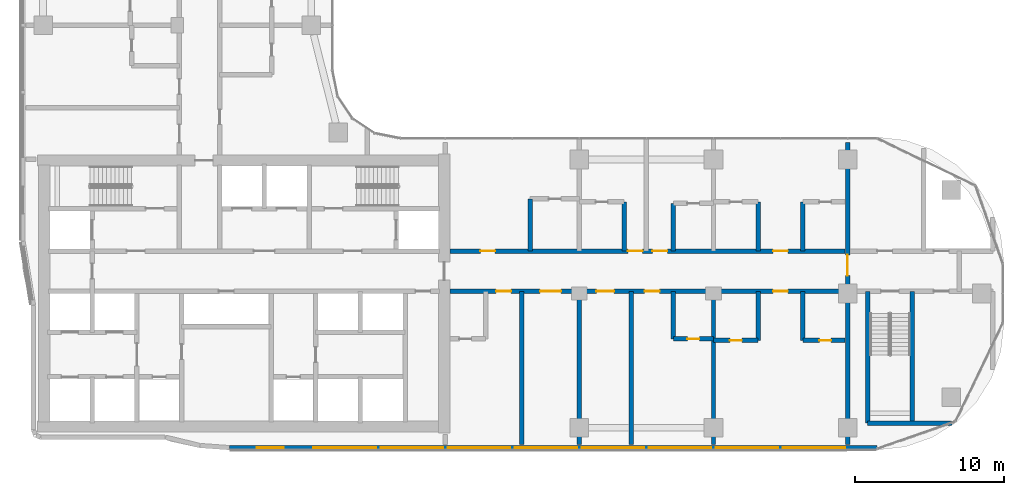
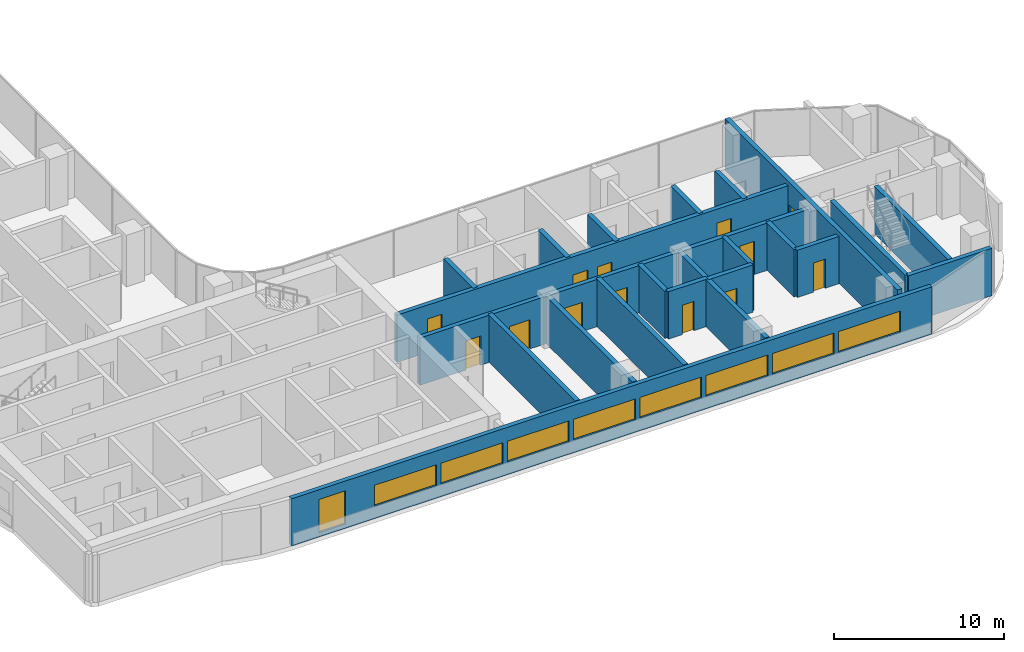
# One storey, part 11 of 22: 22 walls, 13 doors, 9 windows, 22 openings.
"""IFC4 building model written with IfcOpenShell, lengths in metres."""

from ifc_helpers import new_model, si_unit, direction, frame, frame_2d, origin, place, context, subcontext, project, spatial, rectangle, extrude, material, layer, layer_set, type_object, element, fill, save


model = new_model("IFC4")

# Units and contexts
model_context = context("Model", 3, precision=1e-05, world=origin(), true_north=direction((0.0, 1.0)))
body_context = subcontext(model_context, "Body", "Model", "MODEL_VIEW")
ifc_project = project(units=[si_unit("LENGTHUNIT", "METRE"), si_unit("AREAUNIT", "SQUARE_METRE"), si_unit("VOLUMEUNIT", "CUBIC_METRE"), si_unit("PLANEANGLEUNIT", "RADIAN"), si_unit("MASSUNIT", "GRAM", prefix="KILO")], contexts=[model_context])

# Site, building, storey
site_placement = place(None, origin())
site = spatial("IfcSite", under=ifc_project, at=site_placement, CompositionType="ELEMENT")
building_placement = place(site_placement, origin())
building = spatial("IfcBuilding", under=site, at=building_placement, Name="Ogive Portal Towers", CompositionType="ELEMENT")
storey_placement = place(building_placement, frame((0.0, 0.0, 113.0)))
storey = spatial("IfcBuildingStorey", under=building, at=storey_placement, Name="L27", CompositionType="ELEMENT", Elevation=113.0)

# Wall, openings, windows
ifc_material_1 = material(Name="Limestone cladding on lightweight block wall", Category="masonry")
ifc_layer_1 = layer(ifc_material_1, 0.300048828125)
ifc_layer_set_1 = layer_set([ifc_layer_1], Name="EXTERNAL WALL 300 STONE")
wall_type_1 = type_object("IfcWallType", Name="EXTERNAL WALL 300 STONE", PredefinedType="SOLIDWALL", material=ifc_layer_set_1)
wall_1_placement = place(storey_placement, frame((44.0107421875, 20.14990234375, 0.0), z_axis=(0.0, 0.0, 1.0), x_axis=(1.0, 0.0, 0.0)))
wall_1 = element("IfcWall", 1, at=wall_1_placement, inside=storey, type_object=wall_type_1, Name="A:L27:f06:r0:wall", PredefinedType="SOLIDWALL", context=body_context, shape_type="SweptSolid", body=[
    extrude(rectangle(XDim=43.4755859375, YDim=0.300048828125, at=frame_2d((21.73779296875, 0.0))), origin(), (0.0, 0.0, 1.0), 3.39990234375),
])
opening_1_placement = place(wall_1_placement, frame((1.8447265625, 0.0, 0.300048828125)))
opening_1 = element("IfcOpeningElement", 2, at=opening_1_placement, cuts=wall_1, Name="Opening WN10", PredefinedType="OPENING", context=body_context, shape_type="SweptSolid", body=[
    extrude(rectangle(XDim=1.800048828125, YDim=2.39990234375, at=frame_2d((0.89990234375, 1.199951171875))), frame((0.0, 0.16015625, 0.0), z_axis=(0.0, -1.0, 0.0), x_axis=(1.0, 0.0, 0.0)), (0.0, 0.0, 1.0), 0.320068359375),
])
opening_2_placement = place(wall_1_placement, frame((5.639404296875, 0.0, 0.89990234375)))
opening_2 = element("IfcOpeningElement", 3, at=opening_2_placement, cuts=wall_1, Name="Opening WN11", PredefinedType="OPENING", context=body_context, shape_type="SweptSolid", body=[
    extrude(rectangle(XDim=4.199951171875, YDim=1.5, at=frame_2d((2.10009765625, 0.75))), frame((0.0, 0.16015625, 0.0), z_axis=(0.0, -1.0, 0.0), x_axis=(1.0, 0.0, 0.0)), (0.0, 0.0, 1.0), 0.320068359375),
])
opening_3_placement = place(wall_1_placement, frame((10.139404296875, 0.0, 0.89990234375)))
opening_3 = element("IfcOpeningElement", 4, at=opening_3_placement, cuts=wall_1, Name="Opening WN11", PredefinedType="OPENING", context=body_context, shape_type="SweptSolid", body=[
    extrude(rectangle(XDim=4.199951171875, YDim=1.5, at=frame_2d((2.10009765625, 0.75))), frame((0.0, 0.16015625, 0.0), z_axis=(0.0, -1.0, 0.0), x_axis=(1.0, 0.0, 0.0)), (0.0, 0.0, 1.0), 0.320068359375),
])
opening_4_placement = place(wall_1_placement, frame((14.639404296875, 0.0, 0.89990234375)))
opening_4 = element("IfcOpeningElement", 5, at=opening_4_placement, cuts=wall_1, Name="Opening WN11", PredefinedType="OPENING", context=body_context, shape_type="SweptSolid", body=[
    extrude(rectangle(XDim=4.199951171875, YDim=1.5, at=frame_2d((2.10009765625, 0.75))), frame((0.0, 0.16015625, 0.0), z_axis=(0.0, -1.0, 0.0), x_axis=(1.0, 0.0, 0.0)), (0.0, 0.0, 1.0), 0.320068359375),
])
opening_5_placement = place(wall_1_placement, frame((19.139404296875, 0.0, 0.89990234375)))
opening_5 = element("IfcOpeningElement", 6, at=opening_5_placement, cuts=wall_1, Name="Opening WN11", PredefinedType="OPENING", context=body_context, shape_type="SweptSolid", body=[
    extrude(rectangle(XDim=4.199951171875, YDim=1.5, at=frame_2d((2.10009765625, 0.75))), frame((0.0, 0.16015625, 0.0), z_axis=(0.0, -1.0, 0.0), x_axis=(1.0, 0.0, 0.0)), (0.0, 0.0, 1.0), 0.320068359375),
])
opening_6_placement = place(wall_1_placement, frame((23.639404296875, 0.0, 0.89990234375)))
opening_6 = element("IfcOpeningElement", 7, at=opening_6_placement, cuts=wall_1, Name="Opening WN11", PredefinedType="OPENING", context=body_context, shape_type="SweptSolid", body=[
    extrude(rectangle(XDim=4.199951171875, YDim=1.5, at=frame_2d((2.10009765625, 0.75))), frame((0.0, 0.16015625, 0.0), z_axis=(0.0, -1.0, 0.0), x_axis=(1.0, 0.0, 0.0)), (0.0, 0.0, 1.0), 0.320068359375),
])
opening_7_placement = place(wall_1_placement, frame((28.139404296875, 0.0, 0.89990234375)))
opening_7 = element("IfcOpeningElement", 8, at=opening_7_placement, cuts=wall_1, Name="Opening WN11", PredefinedType="OPENING", context=body_context, shape_type="SweptSolid", body=[
    extrude(rectangle(XDim=4.199951171875, YDim=1.5, at=frame_2d((2.10009765625, 0.75))), frame((0.0, 0.16015625, 0.0), z_axis=(0.0, -1.0, 0.0), x_axis=(1.0, 0.0, 0.0)), (0.0, 0.0, 1.0), 0.320068359375),
])
opening_8_placement = place(wall_1_placement, frame((32.639404296875, 0.0, 0.89990234375)))
opening_8 = element("IfcOpeningElement", 9, at=opening_8_placement, cuts=wall_1, Name="Opening WN11", PredefinedType="OPENING", context=body_context, shape_type="SweptSolid", body=[
    extrude(rectangle(XDim=4.199951171875, YDim=1.5, at=frame_2d((2.10009765625, 0.75))), frame((0.0, 0.16015625, 0.0), z_axis=(0.0, -1.0, 0.0), x_axis=(1.0, 0.0, 0.0)), (0.0, 0.0, 1.0), 0.320068359375),
])
opening_9_placement = place(wall_1_placement, frame((37.139404296875, 0.0, 0.89990234375)))
opening_9 = element("IfcOpeningElement", 10, at=opening_9_placement, cuts=wall_1, Name="Opening WN11", PredefinedType="OPENING", context=body_context, shape_type="SweptSolid", body=[
    extrude(rectangle(XDim=4.199951171875, YDim=1.5, at=frame_2d((2.10009765625, 0.75))), frame((0.0, 0.16015625, 0.0), z_axis=(0.0, -1.0, 0.0), x_axis=(1.0, 0.0, 0.0)), (0.0, 0.0, 1.0), 0.320068359375),
])
ifc_material_2 = material(Name="Glass, clear low-iron insulated glazing", Category="glass")
window_type_1 = type_object("IfcWindowType", Name="WINDOW RIBBON 4200x1500", PartitioningType="TRIPLE_PANEL_VERTICAL", PredefinedType="WINDOW", material=ifc_material_2)
window_1_placement = place(opening_2_placement, origin())
window_1 = element("IfcWindow", 11, at=window_1_placement, inside=storey, type_object=window_type_1, Name="A:L27:f06:r0:w1", OverallHeight=1.5, OverallWidth=4.199951171875, PartitioningType="SINGLE_PANEL", PredefinedType="WINDOW", context=body_context, shape_type="SweptSolid", body=[
    extrude(rectangle(XDim=4.199951171875, YDim=1.5, at=frame_2d((2.10009765625, 0.75))), frame((0.0, 0.030029296875, 0.0), z_axis=(0.0, -1.0, 0.0), x_axis=(1.0, 0.0, 0.0)), (0.0, 0.0, 1.0), 0.06005859375),
])
fill(opening_2, window_1)
window_2_placement = place(opening_3_placement, origin())
window_2 = element("IfcWindow", 12, at=window_2_placement, inside=storey, type_object=window_type_1, Name="A:L27:f06:r0:w2", OverallHeight=1.5, OverallWidth=4.199951171875, PartitioningType="SINGLE_PANEL", PredefinedType="WINDOW", context=body_context, shape_type="SweptSolid", body=[
    extrude(rectangle(XDim=4.199951171875, YDim=1.5, at=frame_2d((2.10009765625, 0.75))), frame((0.0, 0.030029296875, 0.0), z_axis=(0.0, -1.0, 0.0), x_axis=(1.0, 0.0, 0.0)), (0.0, 0.0, 1.0), 0.06005859375),
])
fill(opening_3, window_2)
window_3_placement = place(opening_4_placement, origin())
window_3 = element("IfcWindow", 13, at=window_3_placement, inside=storey, type_object=window_type_1, Name="A:L27:f06:r0:w3", OverallHeight=1.5, OverallWidth=4.199951171875, PartitioningType="SINGLE_PANEL", PredefinedType="WINDOW", context=body_context, shape_type="SweptSolid", body=[
    extrude(rectangle(XDim=4.199951171875, YDim=1.5, at=frame_2d((2.10009765625, 0.75))), frame((0.0, 0.030029296875, 0.0), z_axis=(0.0, -1.0, 0.0), x_axis=(1.0, 0.0, 0.0)), (0.0, 0.0, 1.0), 0.06005859375),
])
fill(opening_4, window_3)
window_4_placement = place(opening_5_placement, origin())
window_4 = element("IfcWindow", 14, at=window_4_placement, inside=storey, type_object=window_type_1, Name="A:L27:f06:r0:w4", OverallHeight=1.5, OverallWidth=4.199951171875, PartitioningType="SINGLE_PANEL", PredefinedType="WINDOW", context=body_context, shape_type="SweptSolid", body=[
    extrude(rectangle(XDim=4.199951171875, YDim=1.5, at=frame_2d((2.10009765625, 0.75))), frame((0.0, 0.030029296875, 0.0), z_axis=(0.0, -1.0, 0.0), x_axis=(1.0, 0.0, 0.0)), (0.0, 0.0, 1.0), 0.06005859375),
])
fill(opening_5, window_4)
window_5_placement = place(opening_6_placement, origin())
window_5 = element("IfcWindow", 15, at=window_5_placement, inside=storey, type_object=window_type_1, Name="A:L27:f06:r0:w5", OverallHeight=1.5, OverallWidth=4.199951171875, PartitioningType="SINGLE_PANEL", PredefinedType="WINDOW", context=body_context, shape_type="SweptSolid", body=[
    extrude(rectangle(XDim=4.199951171875, YDim=1.5, at=frame_2d((2.10009765625, 0.75))), frame((0.0, 0.030029296875, 0.0), z_axis=(0.0, -1.0, 0.0), x_axis=(1.0, 0.0, 0.0)), (0.0, 0.0, 1.0), 0.06005859375),
])
fill(opening_6, window_5)
window_6_placement = place(opening_7_placement, origin())
window_6 = element("IfcWindow", 16, at=window_6_placement, inside=storey, type_object=window_type_1, Name="A:L27:f06:r0:w6", OverallHeight=1.5, OverallWidth=4.199951171875, PartitioningType="SINGLE_PANEL", PredefinedType="WINDOW", context=body_context, shape_type="SweptSolid", body=[
    extrude(rectangle(XDim=4.199951171875, YDim=1.5, at=frame_2d((2.10009765625, 0.75))), frame((0.0, 0.030029296875, 0.0), z_axis=(0.0, -1.0, 0.0), x_axis=(1.0, 0.0, 0.0)), (0.0, 0.0, 1.0), 0.06005859375),
])
fill(opening_7, window_6)
window_7_placement = place(opening_8_placement, origin())
window_7 = element("IfcWindow", 17, at=window_7_placement, inside=storey, type_object=window_type_1, Name="A:L27:f06:r0:w7", OverallHeight=1.5, OverallWidth=4.199951171875, PartitioningType="SINGLE_PANEL", PredefinedType="WINDOW", context=body_context, shape_type="SweptSolid", body=[
    extrude(rectangle(XDim=4.199951171875, YDim=1.5, at=frame_2d((2.10009765625, 0.75))), frame((0.0, 0.030029296875, 0.0), z_axis=(0.0, -1.0, 0.0), x_axis=(1.0, 0.0, 0.0)), (0.0, 0.0, 1.0), 0.06005859375),
])
fill(opening_8, window_7)
window_8_placement = place(opening_9_placement, origin())
window_8 = element("IfcWindow", 18, at=window_8_placement, inside=storey, type_object=window_type_1, Name="A:L27:f06:r0:w8", OverallHeight=1.5, OverallWidth=4.199951171875, PartitioningType="SINGLE_PANEL", PredefinedType="WINDOW", context=body_context, shape_type="SweptSolid", body=[
    extrude(rectangle(XDim=4.199951171875, YDim=1.5, at=frame_2d((2.10009765625, 0.75))), frame((0.0, 0.030029296875, 0.0), z_axis=(0.0, -1.0, 0.0), x_axis=(1.0, 0.0, 0.0)), (0.0, 0.0, 1.0), 0.06005859375),
])
fill(opening_9, window_8)
window_type_2 = type_object("IfcWindowType", Name="WINDOW SUITE CORNER 1800x2400", PartitioningType="DOUBLE_PANEL_VERTICAL", PredefinedType="WINDOW", material=ifc_material_2)
window_9_placement = place(opening_1_placement, origin())
window_9 = element("IfcWindow", 19, at=window_9_placement, inside=storey, type_object=window_type_2, Name="A:L27:f06:r0:w0", OverallHeight=2.39990234375, OverallWidth=1.800048828125, PartitioningType="SINGLE_PANEL", PredefinedType="WINDOW", context=body_context, shape_type="SweptSolid", body=[
    extrude(rectangle(XDim=1.800048828125, YDim=2.39990234375, at=frame_2d((0.89990234375, 1.199951171875))), frame((0.0, 0.030029296875, 0.0), z_axis=(0.0, -1.0, 0.0), x_axis=(1.0, 0.0, 0.0)), (0.0, 0.0, 1.0), 0.06005859375),
])
fill(opening_1, window_9)

# Wall, opening, door
ifc_material_3 = material(Name="Concrete C60/75", Category="concrete")
ifc_layer_2 = layer(ifc_material_3, 0.300048828125)
ifc_layer_set_2 = layer_set([ifc_layer_2], Name="REVEAL WALL 300 C60")
wall_type_2 = type_object("IfcWallType", Name="REVEAL WALL 300 C60", PredefinedType="SHEAR", material=ifc_layer_set_2)
wall_2_placement = place(storey_placement, frame((85.5, 20.35009765625, 0.0), z_axis=(0.0, 0.0, 1.0), x_axis=(0.0, 1.0, 0.0)))
wall_2 = element("IfcWall", 20, at=wall_2_placement, inside=storey, type_object=wall_type_2, Name="Portal reveal wall L27", PredefinedType="SHEAR", context=body_context, shape_type="SweptSolid", body=[
    extrude(rectangle(XDim=20.2998046875, YDim=0.300048828125, at=frame_2d((10.14990234375, 0.0))), origin(), (0.0, 0.0, 1.0), 3.699951171875),
])
opening_10_placement = place(wall_2_placement, frame((11.35009765625, 0.0, 0.0)))
opening_10 = element("IfcOpeningElement", 21, at=opening_10_placement, cuts=wall_2, Name="Opening D09-063", PredefinedType="OPENING", context=body_context, shape_type="SweptSolid", body=[
    extrude(rectangle(XDim=1.39990234375, YDim=2.10009765625, at=frame_2d((0.699951171875, 1.050048828125))), frame((0.0, 0.16015625, 0.0), z_axis=(0.0, -1.0, 0.0), x_axis=(1.0, 0.0, 0.0)), (0.0, 0.0, 1.0), 0.320068359375),
])
ifc_material_4 = material(Name="Steel fire door", Category="steel")
door_type_1 = type_object("IfcDoorType", Name="DT-STAIR-1400x2100-FD90S", OperationType="SINGLE_SWING_LEFT", PredefinedType="DOOR", material=ifc_material_4)
door_1_placement = place(opening_10_placement, origin())
door_1 = element("IfcDoor", 22, at=door_1_placement, inside=storey, type_object=door_type_1, Name="Door D09-063", OperationType="SINGLE_SWING_RIGHT", OverallHeight=2.10009765625, OverallWidth=1.39990234375, PredefinedType="DOOR", context=body_context, shape_type="SweptSolid", body=[
    extrude(rectangle(XDim=1.39990234375, YDim=2.10009765625, at=frame_2d((0.699951171875, 1.050048828125))), frame((0.0, 0.02490234375, 0.0), z_axis=(0.0, -1.0, 0.0), x_axis=(1.0, 0.0, 0.0)), (0.0, 0.0, 1.0), 0.050048828125),
])
fill(opening_10, door_1)

# Walls
ifc_material_5 = material(Name="Concrete C50/60", Category="concrete")
ifc_layer_3 = layer(ifc_material_5, 0.300048828125)
ifc_layer_set_3 = layer_set([ifc_layer_3], Name="STAIR WALL 300 C50")
wall_type_3 = type_object("IfcWallType", Name="STAIR WALL 300 C50", PredefinedType="SHEAR", material=ifc_layer_set_3)
wall_3_placement = place(storey_placement, frame((86.85009765625, 21.800048828125, 0.0), z_axis=(0.0, 0.0, 1.0), x_axis=(1.0, 0.0, 0.0)))
element("IfcWall", 23, at=wall_3_placement, inside=storey, type_object=wall_type_3, Name="Stair wall ST-A4 L27", PredefinedType="SHEAR", context=body_context, shape_type="SweptSolid", body=[
    extrude(rectangle(XDim=5.664794921875, YDim=0.300048828125, at=frame_2d((2.83251953125, 0.0))), origin(), (0.0, 0.0, 1.0), 3.39990234375),
])
for number, where, z_axis, x_axis, name in (
    (24, (86.85009765625, 21.800048828125, 0.0), (0.0, 0.0, 1.0), (0.0, 1.0, 0.0), "Stair wall ST-A4 L27"),
    (25, (89.85009765625, 21.800048828125, 0.0), (0.0, 0.0, 1.0), (0.0, 1.0, 0.0), "Stair wall ST-A4 L27"),
):
    element("IfcWall", number, at=place(storey_placement, frame(where, z_axis=z_axis, x_axis=x_axis)), inside=storey, type_object=wall_type_3, Name=name, PredefinedType="SHEAR", context=body_context, shape_type="SweptSolid", body=[
        extrude(rectangle(XDim=8.849853515625, YDim=0.300048828125, at=frame_2d((4.4248046875, 0.0))), origin(), (0.0, 0.0, 1.0), 3.39990234375),
    ])

# Wall, openings, doors
ifc_material_6 = material(Name="Gypsum board partition on steel studs", Category="steel")
ifc_layer_4 = layer(ifc_material_6, 0.300048828125)
ifc_layer_set_4 = layer_set([ifc_layer_4], Name="WT-PART-300-EI 120")
wall_type_4 = type_object("IfcWallType", Name="WT-PART-300-EI 120", PredefinedType="PARTITIONING", material=ifc_layer_set_4)
wall_4_placement = place(storey_placement, frame((58.800048828125, 30.64990234375, 0.0), z_axis=(0.0, 0.0, 1.0), x_axis=(1.0, 0.0, 0.0)))
wall_4 = element("IfcWall", 26, at=wall_4_placement, inside=storey, type_object=wall_type_4, Name="Wall L27:w006", PredefinedType="PARTITIONING", context=body_context, shape_type="SweptSolid", body=[
    extrude(rectangle(XDim=26.530029296875, YDim=0.300048828125, at=frame_2d((13.26513671875, 0.0))), origin(), (0.0, 0.0, 1.0), 3.39990234375),
])
opening_11_placement = place(wall_4_placement, frame((3.114990234375, 0.0, 0.0)))
opening_11 = element("IfcOpeningElement", 27, at=opening_11_placement, cuts=wall_4, Name="Opening D09-027", PredefinedType="OPENING", context=body_context, shape_type="SweptSolid", body=[
    extrude(rectangle(XDim=1.0, YDim=2.10009765625, at=frame_2d((0.5, 1.050048828125))), frame((0.0, 0.16015625, 0.0), z_axis=(0.0, -1.0, 0.0), x_axis=(1.0, 0.0, 0.0)), (0.0, 0.0, 1.0), 0.320068359375),
])
opening_12_placement = place(wall_4_placement, frame((6.06494140625, 0.0, 0.0)))
opening_12 = element("IfcOpeningElement", 28, at=opening_12_placement, cuts=wall_4, Name="Opening D09-028", PredefinedType="OPENING", context=body_context, shape_type="SweptSolid", body=[
    extrude(rectangle(XDim=1.39990234375, YDim=2.10009765625, at=frame_2d((0.699951171875, 1.050048828125))), frame((0.0, 0.16015625, 0.0), z_axis=(0.0, -1.0, 0.0), x_axis=(1.0, 0.0, 0.0)), (0.0, 0.0, 1.0), 0.320068359375),
])
opening_13_placement = place(wall_4_placement, frame((9.8349609375, 0.0, 0.0)))
opening_13 = element("IfcOpeningElement", 29, at=opening_13_placement, cuts=wall_4, Name="Opening D09-033", PredefinedType="OPENING", context=body_context, shape_type="SweptSolid", body=[
    extrude(rectangle(XDim=1.199951171875, YDim=2.10009765625, at=frame_2d((0.60009765625, 1.050048828125))), frame((0.0, 0.16015625, 0.0), z_axis=(0.0, -1.0, 0.0), x_axis=(1.0, 0.0, 0.0)), (0.0, 0.0, 1.0), 0.320068359375),
])
opening_14_placement = place(wall_4_placement, frame((13.0849609375, 0.0, 0.0)))
opening_14 = element("IfcOpeningElement", 30, at=opening_14_placement, cuts=wall_4, Name="Opening D09-035", PredefinedType="OPENING", context=body_context, shape_type="SweptSolid", body=[
    extrude(rectangle(XDim=1.0, YDim=2.10009765625, at=frame_2d((0.5, 1.050048828125))), frame((0.0, 0.16015625, 0.0), z_axis=(0.0, -1.0, 0.0), x_axis=(1.0, 0.0, 0.0)), (0.0, 0.0, 1.0), 0.320068359375),
])
opening_15_placement = place(wall_4_placement, frame((21.699951171875, 0.0, 0.0)))
opening_15 = element("IfcOpeningElement", 31, at=opening_15_placement, cuts=wall_4, Name="Opening D09-041", PredefinedType="OPENING", context=body_context, shape_type="SweptSolid", body=[
    extrude(rectangle(XDim=1.0, YDim=2.39990234375, at=frame_2d((0.5, 1.199951171875))), frame((0.0, 0.16015625, 0.0), z_axis=(0.0, -1.0, 0.0), x_axis=(1.0, 0.0, 0.0)), (0.0, 0.0, 1.0), 0.320068359375),
])
door_type_2 = type_object("IfcDoorType", Name="DT-ENTRY-1000x2100-FD90S", OperationType="SINGLE_SWING_LEFT", PredefinedType="DOOR", material=ifc_material_4)
door_2_placement = place(opening_11_placement, origin())
door_2 = element("IfcDoor", 32, at=door_2_placement, inside=storey, type_object=door_type_2, Name="Door D09-027", OperationType="SINGLE_SWING_RIGHT", OverallHeight=2.10009765625, OverallWidth=1.0, PredefinedType="DOOR", context=body_context, shape_type="SweptSolid", body=[
    extrude(rectangle(XDim=1.0, YDim=2.10009765625, at=frame_2d((0.5, 1.050048828125))), frame((0.0, 0.02490234375, 0.0), z_axis=(0.0, -1.0, 0.0), x_axis=(1.0, 0.0, 0.0)), (0.0, 0.0, 1.0), 0.050048828125),
])
fill(opening_11, door_2)
door_3_placement = place(opening_14_placement, origin())
door_3 = element("IfcDoor", 33, at=door_3_placement, inside=storey, type_object=door_type_2, Name="Door D09-035", OperationType="SINGLE_SWING_LEFT", OverallHeight=2.10009765625, OverallWidth=1.0, PredefinedType="DOOR", context=body_context, shape_type="SweptSolid", body=[
    extrude(rectangle(XDim=1.0, YDim=2.10009765625, at=frame_2d((0.5, 1.050048828125))), frame((0.0, 0.02490234375, 0.0), z_axis=(0.0, -1.0, 0.0), x_axis=(1.0, 0.0, 0.0)), (0.0, 0.0, 1.0), 0.050048828125),
])
fill(opening_14, door_3)
door_type_3 = type_object("IfcDoorType", Name="DT-ENTRY-1000x2400-FD90S", OperationType="SINGLE_SWING_LEFT", PredefinedType="DOOR", material=ifc_material_4)
door_4_placement = place(opening_15_placement, origin())
door_4 = element("IfcDoor", 34, at=door_4_placement, inside=storey, type_object=door_type_3, Name="Door D09-041", OperationType="SINGLE_SWING_LEFT", OverallHeight=2.39990234375, OverallWidth=1.0, PredefinedType="DOOR", context=body_context, shape_type="SweptSolid", body=[
    extrude(rectangle(XDim=1.0, YDim=2.39990234375, at=frame_2d((0.5, 1.199951171875))), frame((0.0, 0.02490234375, 0.0), z_axis=(0.0, -1.0, 0.0), x_axis=(1.0, 0.0, 0.0)), (0.0, 0.0, 1.0), 0.050048828125),
])
fill(opening_15, door_4)
door_type_4 = type_object("IfcDoorType", Name="DT-ENTRY-1200x2100-FD90S", OperationType="SINGLE_SWING_LEFT", PredefinedType="DOOR", material=ifc_material_4)
door_5_placement = place(opening_13_placement, origin())
door_5 = element("IfcDoor", 35, at=door_5_placement, inside=storey, type_object=door_type_4, Name="Door D09-033", OperationType="SINGLE_SWING_LEFT", OverallHeight=2.10009765625, OverallWidth=1.199951171875, PredefinedType="DOOR", context=body_context, shape_type="SweptSolid", body=[
    extrude(rectangle(XDim=1.199951171875, YDim=2.10009765625, at=frame_2d((0.60009765625, 1.050048828125))), frame((0.0, 0.02490234375, 0.0), z_axis=(0.0, -1.0, 0.0), x_axis=(1.0, 0.0, 0.0)), (0.0, 0.0, 1.0), 0.050048828125),
])
fill(opening_13, door_5)
door_type_5 = type_object("IfcDoorType", Name="DT-ENTRY-1400x2100-FD90S", OperationType="SINGLE_SWING_LEFT", PredefinedType="DOOR", material=ifc_material_4)
door_6_placement = place(opening_12_placement, origin())
door_6 = element("IfcDoor", 36, at=door_6_placement, inside=storey, type_object=door_type_5, Name="Door D09-028", OperationType="SINGLE_SWING_LEFT", OverallHeight=2.10009765625, OverallWidth=1.39990234375, PredefinedType="DOOR", context=body_context, shape_type="SweptSolid", body=[
    extrude(rectangle(XDim=1.39990234375, YDim=2.10009765625, at=frame_2d((0.699951171875, 1.050048828125))), frame((0.0, 0.02490234375, 0.0), z_axis=(0.0, -1.0, 0.0), x_axis=(1.0, 0.0, 0.0)), (0.0, 0.0, 1.0), 0.050048828125),
])
fill(opening_12, door_6)

wall_5_placement = place(storey_placement, frame((58.800048828125, 33.35009765625, 0.0), z_axis=(0.0, 0.0, 1.0), x_axis=(1.0, 0.0, 0.0)))
wall_5 = element("IfcWall", 37, at=wall_5_placement, inside=storey, type_object=wall_type_4, Name="Wall L27:w008", PredefinedType="PARTITIONING", context=body_context, shape_type="SweptSolid", body=[
    extrude(rectangle(XDim=26.530029296875, YDim=0.300048828125, at=frame_2d((13.26513671875, 0.0))), origin(), (0.0, 0.0, 1.0), 3.39990234375),
])
opening_16_placement = place(wall_5_placement, frame((2.050048828125, 0.0, 0.0)))
opening_16 = element("IfcOpeningElement", 38, at=opening_16_placement, cuts=wall_5, Name="Opening D09-025", PredefinedType="OPENING", context=body_context, shape_type="SweptSolid", body=[
    extrude(rectangle(XDim=1.0, YDim=2.39990234375, at=frame_2d((0.5, 1.199951171875))), frame((0.0, 0.16015625, 0.0), z_axis=(0.0, -1.0, 0.0), x_axis=(1.0, 0.0, 0.0)), (0.0, 0.0, 1.0), 0.320068359375),
])
opening_17_placement = place(wall_5_placement, frame((11.949951171875, 0.0, 0.0)))
opening_17 = element("IfcOpeningElement", 39, at=opening_17_placement, cuts=wall_5, Name="Opening D09-030", PredefinedType="OPENING", context=body_context, shape_type="SweptSolid", body=[
    extrude(rectangle(XDim=1.0, YDim=2.10009765625, at=frame_2d((0.5, 1.050048828125))), frame((0.0, 0.16015625, 0.0), z_axis=(0.0, -1.0, 0.0), x_axis=(1.0, 0.0, 0.0)), (0.0, 0.0, 1.0), 0.320068359375),
])
opening_18_placement = place(wall_5_placement, frame((13.60009765625, 0.0, 0.0)))
opening_18 = element("IfcOpeningElement", 40, at=opening_18_placement, cuts=wall_5, Name="Opening D09-032", PredefinedType="OPENING", context=body_context, shape_type="SweptSolid", body=[
    extrude(rectangle(XDim=1.0, YDim=2.10009765625, at=frame_2d((0.5, 1.050048828125))), frame((0.0, 0.16015625, 0.0), z_axis=(0.0, -1.0, 0.0), x_axis=(1.0, 0.0, 0.0)), (0.0, 0.0, 1.0), 0.320068359375),
])
opening_19_placement = place(wall_5_placement, frame((21.699951171875, 0.0, 0.0)))
opening_19 = element("IfcOpeningElement", 41, at=opening_19_placement, cuts=wall_5, Name="Opening D09-038", PredefinedType="OPENING", context=body_context, shape_type="SweptSolid", body=[
    extrude(rectangle(XDim=1.0, YDim=2.39990234375, at=frame_2d((0.5, 1.199951171875))), frame((0.0, 0.16015625, 0.0), z_axis=(0.0, -1.0, 0.0), x_axis=(1.0, 0.0, 0.0)), (0.0, 0.0, 1.0), 0.320068359375),
])
door_7_placement = place(opening_17_placement, origin())
door_7 = element("IfcDoor", 42, at=door_7_placement, inside=storey, type_object=door_type_2, Name="Door D09-030", OperationType="SINGLE_SWING_RIGHT", OverallHeight=2.10009765625, OverallWidth=1.0, PredefinedType="DOOR", context=body_context, shape_type="SweptSolid", body=[
    extrude(rectangle(XDim=1.0, YDim=2.10009765625, at=frame_2d((0.5, 1.050048828125))), frame((0.0, 0.02490234375, 0.0), z_axis=(0.0, -1.0, 0.0), x_axis=(1.0, 0.0, 0.0)), (0.0, 0.0, 1.0), 0.050048828125),
])
fill(opening_17, door_7)
door_8_placement = place(opening_18_placement, origin())
door_8 = element("IfcDoor", 43, at=door_8_placement, inside=storey, type_object=door_type_2, Name="Door D09-032", OperationType="SINGLE_SWING_LEFT", OverallHeight=2.10009765625, OverallWidth=1.0, PredefinedType="DOOR", context=body_context, shape_type="SweptSolid", body=[
    extrude(rectangle(XDim=1.0, YDim=2.10009765625, at=frame_2d((0.5, 1.050048828125))), frame((0.0, 0.02490234375, 0.0), z_axis=(0.0, -1.0, 0.0), x_axis=(1.0, 0.0, 0.0)), (0.0, 0.0, 1.0), 0.050048828125),
])
fill(opening_18, door_8)
door_9_placement = place(opening_16_placement, origin())
door_9 = element("IfcDoor", 44, at=door_9_placement, inside=storey, type_object=door_type_3, Name="Door D09-025", OperationType="SINGLE_SWING_LEFT", OverallHeight=2.39990234375, OverallWidth=1.0, PredefinedType="DOOR", context=body_context, shape_type="SweptSolid", body=[
    extrude(rectangle(XDim=1.0, YDim=2.39990234375, at=frame_2d((0.5, 1.199951171875))), frame((0.0, 0.02490234375, 0.0), z_axis=(0.0, -1.0, 0.0), x_axis=(1.0, 0.0, 0.0)), (0.0, 0.0, 1.0), 0.050048828125),
])
fill(opening_16, door_9)
door_10_placement = place(opening_19_placement, origin())
door_10 = element("IfcDoor", 45, at=door_10_placement, inside=storey, type_object=door_type_3, Name="Door D09-038", OperationType="SINGLE_SWING_LEFT", OverallHeight=2.39990234375, OverallWidth=1.0, PredefinedType="DOOR", context=body_context, shape_type="SweptSolid", body=[
    extrude(rectangle(XDim=1.0, YDim=2.39990234375, at=frame_2d((0.5, 1.199951171875))), frame((0.0, 0.02490234375, 0.0), z_axis=(0.0, -1.0, 0.0), x_axis=(1.0, 0.0, 0.0)), (0.0, 0.0, 1.0), 0.050048828125),
])
fill(opening_19, door_10)

# Wall, opening, door
ifc_layer_5 = layer(ifc_material_6, 0.300048828125)
ifc_layer_set_5 = layer_set([ifc_layer_5], Name="WT-PART-300-EI 60")
wall_type_5 = type_object("IfcWallType", Name="WT-PART-300-EI 60", PredefinedType="PARTITIONING", material=ifc_layer_set_5)
wall_6_placement = place(storey_placement, frame((76.5, 27.35009765625, 0.0), z_axis=(0.0, 0.0, 1.0), x_axis=(1.0, 0.0, 0.0)))
wall_6 = element("IfcWall", 46, at=wall_6_placement, inside=storey, type_object=wall_type_5, Name="Wall L27:w002", PredefinedType="PARTITIONING", context=body_context, shape_type="SweptSolid", body=[
    extrude(rectangle(XDim=3.0, YDim=0.300048828125, at=frame_2d((1.5, 0.0))), origin(), (0.0, 0.0, 1.0), 3.39990234375),
])
opening_20_placement = place(wall_6_placement, frame((1.10009765625, 0.0, 0.0)))
opening_20 = element("IfcOpeningElement", 47, at=opening_20_placement, cuts=wall_6, Name="Opening D09-039", PredefinedType="OPENING", context=body_context, shape_type="SweptSolid", body=[
    extrude(rectangle(XDim=0.800048828125, YDim=2.10009765625, at=frame_2d((0.39990234375, 1.050048828125))), frame((0.0, 0.16015625, 0.0), z_axis=(0.0, -1.0, 0.0), x_axis=(1.0, 0.0, 0.0)), (0.0, 0.0, 1.0), 0.320068359375),
])
door_type_6 = type_object("IfcDoorType", Name="DT-BATH-800x2100-FD60S", OperationType="SINGLE_SWING_LEFT", PredefinedType="DOOR", material=ifc_material_4)
door_11_placement = place(opening_20_placement, origin())
door_11 = element("IfcDoor", 48, at=door_11_placement, inside=storey, type_object=door_type_6, Name="Door D09-039", OperationType="SINGLE_SWING_LEFT", OverallHeight=2.10009765625, OverallWidth=0.800048828125, PredefinedType="DOOR", context=body_context, shape_type="SweptSolid", body=[
    extrude(rectangle(XDim=0.800048828125, YDim=2.10009765625, at=frame_2d((0.39990234375, 1.050048828125))), frame((0.0, 0.02490234375, 0.0), z_axis=(0.0, -1.0, 0.0), x_axis=(1.0, 0.0, 0.0)), (0.0, 0.0, 1.0), 0.050048828125),
])
fill(opening_20, door_11)

wall_7_placement = place(storey_placement, frame((82.5, 27.35009765625, 0.0), z_axis=(0.0, 0.0, 1.0), x_axis=(1.0, 0.0, 0.0)))
wall_7 = element("IfcWall", 49, at=wall_7_placement, inside=storey, type_object=wall_type_5, Name="Wall L27:w003", PredefinedType="PARTITIONING", context=body_context, shape_type="SweptSolid", body=[
    extrude(rectangle(XDim=2.830078125, YDim=0.300048828125, at=frame_2d((1.4150390625, 0.0))), origin(), (0.0, 0.0, 1.0), 3.39990234375),
])
opening_21_placement = place(wall_7_placement, frame((1.10009765625, 0.0, 0.0)))
opening_21 = element("IfcOpeningElement", 50, at=opening_21_placement, cuts=wall_7, Name="Opening D09-040", PredefinedType="OPENING", context=body_context, shape_type="SweptSolid", body=[
    extrude(rectangle(XDim=0.800048828125, YDim=2.10009765625, at=frame_2d((0.39990234375, 1.050048828125))), frame((0.0, 0.16015625, 0.0), z_axis=(0.0, -1.0, 0.0), x_axis=(1.0, 0.0, 0.0)), (0.0, 0.0, 1.0), 0.320068359375),
])
door_12_placement = place(opening_21_placement, origin())
door_12 = element("IfcDoor", 51, at=door_12_placement, inside=storey, type_object=door_type_6, Name="Door D09-040", OperationType="SINGLE_SWING_RIGHT", OverallHeight=2.10009765625, OverallWidth=0.800048828125, PredefinedType="DOOR", context=body_context, shape_type="SweptSolid", body=[
    extrude(rectangle(XDim=0.800048828125, YDim=2.10009765625, at=frame_2d((0.39990234375, 1.050048828125))), frame((0.0, 0.02490234375, 0.0), z_axis=(0.0, -1.0, 0.0), x_axis=(1.0, 0.0, 0.0)), (0.0, 0.0, 1.0), 0.050048828125),
])
fill(opening_21, door_12)

wall_8_placement = place(storey_placement, frame((73.800048828125, 27.449951171875, 0.0), z_axis=(0.0, 0.0, 1.0), x_axis=(1.0, 0.0, 0.0)))
wall_8 = element("IfcWall", 52, at=wall_8_placement, inside=storey, type_object=wall_type_5, Name="Wall L27:w005", PredefinedType="PARTITIONING", context=body_context, shape_type="SweptSolid", body=[
    extrude(rectangle(XDim=2.699951171875, YDim=0.300048828125, at=frame_2d((1.35009765625, 0.0))), origin(), (0.0, 0.0, 1.0), 3.39990234375),
])
opening_22_placement = place(wall_8_placement, frame((0.949951171875, 0.0, 0.0)))
opening_22 = element("IfcOpeningElement", 53, at=opening_22_placement, cuts=wall_8, Name="Opening D09-034", PredefinedType="OPENING", context=body_context, shape_type="SweptSolid", body=[
    extrude(rectangle(XDim=0.800048828125, YDim=2.10009765625, at=frame_2d((0.39990234375, 1.050048828125))), frame((0.0, 0.16015625, 0.0), z_axis=(0.0, -1.0, 0.0), x_axis=(1.0, 0.0, 0.0)), (0.0, 0.0, 1.0), 0.320068359375),
])
door_13_placement = place(opening_22_placement, origin())
door_13 = element("IfcDoor", 54, at=door_13_placement, inside=storey, type_object=door_type_6, Name="Door D09-034", OperationType="SINGLE_SWING_RIGHT", OverallHeight=2.10009765625, OverallWidth=0.800048828125, PredefinedType="DOOR", context=body_context, shape_type="SweptSolid", body=[
    extrude(rectangle(XDim=0.800048828125, YDim=2.10009765625, at=frame_2d((0.39990234375, 1.050048828125))), frame((0.0, 0.02490234375, 0.0), z_axis=(0.0, -1.0, 0.0), x_axis=(1.0, 0.0, 0.0)), (0.0, 0.0, 1.0), 0.050048828125),
])
fill(opening_22, door_13)

# Walls
wall_9_placement = place(storey_placement, frame((63.6298828125, 20.35009765625, 0.0), z_axis=(0.0, 0.0, 1.0), x_axis=(0.0, 1.0, 0.0)))
element("IfcWall", 55, at=wall_9_placement, inside=storey, type_object=wall_type_5, Name="Wall L27:w047", PredefinedType="PARTITIONING", context=body_context, shape_type="SweptSolid", body=[
    extrude(rectangle(XDim=10.2998046875, YDim=0.300048828125, at=frame_2d((5.14990234375, 0.0))), origin(), (0.0, 0.0, 1.0), 3.39990234375),
])
wall_10_placement = place(storey_placement, frame((64.199951171875, 33.35009765625, 0.0), z_axis=(0.0, 0.0, 1.0), x_axis=(0.0, 1.0, 0.0)))
element("IfcWall", 56, at=wall_10_placement, inside=storey, type_object=wall_type_5, Name="Wall L27:w048", PredefinedType="PARTITIONING", context=body_context, shape_type="SweptSolid", body=[
    extrude(rectangle(XDim=3.5, YDim=0.300048828125, at=frame_2d((1.75, 0.0))), origin(), (0.0, 0.0, 1.0), 3.39990234375),
])
wall_11_placement = place(storey_placement, frame((67.5, 20.35009765625, 0.0), z_axis=(0.0, 0.0, 1.0), x_axis=(0.0, 1.0, 0.0)))
element("IfcWall", 57, at=wall_11_placement, inside=storey, type_object=wall_type_5, Name="Wall L27:w049", PredefinedType="PARTITIONING", context=body_context, shape_type="SweptSolid", body=[
    extrude(rectangle(XDim=10.2998046875, YDim=0.300048828125, at=frame_2d((5.14990234375, 0.0))), origin(), (0.0, 0.0, 1.0), 3.39990234375),
])
wall_12_placement = place(storey_placement, frame((70.5, 33.35009765625, 0.0), z_axis=(0.0, 0.0, 1.0), x_axis=(0.0, 1.0, 0.0)))
element("IfcWall", 58, at=wall_12_placement, inside=storey, type_object=wall_type_5, Name="Wall L27:w051", PredefinedType="PARTITIONING", context=body_context, shape_type="SweptSolid", body=[
    extrude(rectangle(XDim=3.2998046875, YDim=0.300048828125, at=frame_2d((1.64990234375, 0.0))), origin(), (0.0, 0.0, 1.0), 3.39990234375),
])
wall_13_placement = place(storey_placement, frame((70.969970703125, 20.35009765625, 0.0), z_axis=(0.0, 0.0, 1.0), x_axis=(0.0, 1.0, 0.0)))
element("IfcWall", 59, at=wall_13_placement, inside=storey, type_object=wall_type_5, Name="Wall L27:w052", PredefinedType="PARTITIONING", context=body_context, shape_type="SweptSolid", body=[
    extrude(rectangle(XDim=10.2998046875, YDim=0.300048828125, at=frame_2d((5.14990234375, 0.0))), origin(), (0.0, 0.0, 1.0), 3.39990234375),
])
for number, where, z_axis, x_axis, name in (
    (60, (73.800048828125, 27.449951171875, 0.0), (0.0, 0.0, 1.0), (0.0, 1.0, 0.0), "Wall L27:w054"),
    (61, (73.800048828125, 33.35009765625, 0.0), (0.0, 0.0, 1.0), (0.0, 1.0, 0.0), "Wall L27:w055"),
):
    element("IfcWall", number, at=place(storey_placement, frame(where, z_axis=z_axis, x_axis=x_axis)), inside=storey, type_object=wall_type_5, Name=name, PredefinedType="PARTITIONING", context=body_context, shape_type="SweptSolid", body=[
        extrude(rectangle(XDim=3.199951171875, YDim=0.300048828125, at=frame_2d((1.60009765625, 0.0))), origin(), (0.0, 0.0, 1.0), 3.39990234375),
    ])
wall_14_placement = place(storey_placement, frame((76.5, 20.35009765625, 0.0), z_axis=(0.0, 0.0, 1.0), x_axis=(0.0, 1.0, 0.0)))
element("IfcWall", 62, at=wall_14_placement, inside=storey, type_object=wall_type_5, Name="Wall L27:w056", PredefinedType="PARTITIONING", context=body_context, shape_type="SweptSolid", body=[
    extrude(rectangle(XDim=10.2998046875, YDim=0.300048828125, at=frame_2d((5.14990234375, 0.0))), origin(), (0.0, 0.0, 1.0), 3.39990234375),
])
for number, where, z_axis, x_axis, name in (
    (63, (79.5, 27.35009765625, 0.0), (0.0, 0.0, 1.0), (0.0, 1.0, 0.0), "Wall L27:w058"),
    (64, (79.5, 33.35009765625, 0.0), (0.0, 0.0, 1.0), (0.0, 1.0, 0.0), "Wall L27:w059"),
    (65, (82.5, 27.35009765625, 0.0), (0.0, 0.0, 1.0), (0.0, 1.0, 0.0), "Wall L27:w060"),
    (66, (82.5, 33.35009765625, 0.0), (0.0, 0.0, 1.0), (0.0, 1.0, 0.0), "Wall L27:w061"),
):
    element("IfcWall", number, at=place(storey_placement, frame(where, z_axis=z_axis, x_axis=x_axis)), inside=storey, type_object=wall_type_5, Name=name, PredefinedType="PARTITIONING", context=body_context, shape_type="SweptSolid", body=[
        extrude(rectangle(XDim=3.2998046875, YDim=0.300048828125, at=frame_2d((1.64990234375, 0.0))), origin(), (0.0, 0.0, 1.0), 3.39990234375),
    ])

save(model, "model.ifc")
